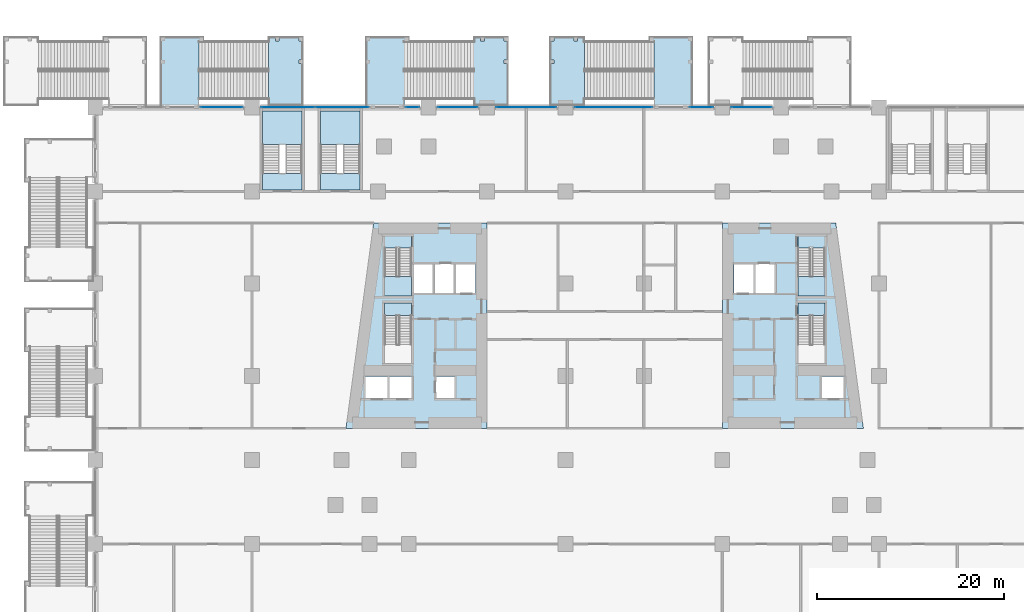
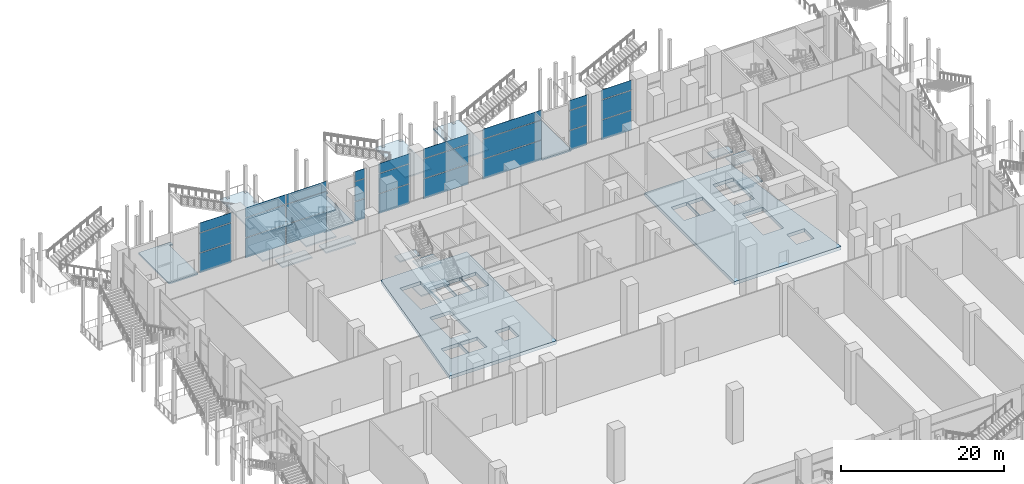
# One storey, part 20 of 52: 27 plates, 22 slabs, 17 elements without a shape of their own.
"""IFC4 building model written with IfcOpenShell, lengths in metres."""

from ifc_helpers import new_model, si_unit, direction, frame, origin, origin_2d, place, context, subcontext, project, spatial, polyline, rectangle, outline, extrude, material, layer, layer_set, type_object, element, aggregate, save


model = new_model("IFC4")

# Units and contexts
model_context = context("Model", 3, precision=1e-05, world=origin(), true_north=direction((0.0, 1.0)))
body_context = subcontext(model_context, "Body", "Model", "MODEL_VIEW")
ifc_project = project(units=[si_unit("LENGTHUNIT", "METRE"), si_unit("AREAUNIT", "SQUARE_METRE"), si_unit("VOLUMEUNIT", "CUBIC_METRE"), si_unit("PLANEANGLEUNIT", "RADIAN"), si_unit("MASSUNIT", "GRAM", prefix="KILO")], contexts=[model_context])

# Site, building, storey
site_placement = place(None, origin())
site = spatial("IfcSite", under=ifc_project, at=site_placement, CompositionType="ELEMENT")
building_placement = place(site_placement, origin())
building = spatial("IfcBuilding", under=site, at=building_placement, Name="Candeia Pilgrim Tower and Theatre", CompositionType="ELEMENT")
storey_placement = place(building_placement, frame((0.0, 0.0, 9.0)))
storey = spatial("IfcBuildingStorey", under=building, at=storey_placement, Name="L01", CompositionType="ELEMENT", Elevation=9.0)

# Curtain wall, plates
ifc_material_1 = material(Name="Aluminium framed podium glazing", Category="aluminium")
curtain_wall_type = type_object("IfcCurtainWallType", Name="CW-P curtain wall", PredefinedType="NOTDEFINED", material=ifc_material_1)
curtain_wall_1_placement = place(storey_placement, origin())
curtain_wall_1 = element("IfcCurtainWall", 1, at=curtain_wall_1_placement, inside=storey, type_object=curtain_wall_type, Name="Curtain wall CW-P L01.102", PredefinedType="NOTDEFINED")
ifc_material_2 = material(Name="Laminated low-iron glass 2 x 8 mm", Category="glass")
ifc_layer_1 = layer(ifc_material_2, 0.035888671875)
ifc_layer_set_1 = layer_set([ifc_layer_1], Name="CW-P glass panel 36")
plate_type = type_object("IfcPlateType", Name="CW-P glass panel 36", PredefinedType="CURTAIN_PANEL", material=ifc_layer_set_1)
plate_1_placement = place(storey_placement, frame((72.35009765625, 144.800048828125, 0.0), z_axis=(0.0, 0.0, 1.0), x_axis=(1.0, 0.0, 0.0)))
plate_1 = element("IfcPlate", 2, at=plate_1_placement, type_object=plate_type, Name="CW-P panel 1.1", PredefinedType="CURTAIN_PANEL", context=body_context, shape_type="SweptSolid", body=[
    extrude(rectangle(XDim=4.52001953125, YDim=0.035888671875, at=origin_2d()), origin(), (0.0, 0.0, 1.0), 2.9599609375),
])
plate_2_placement = place(storey_placement, frame((72.35009765625, 144.800048828125, 3.0400390625), z_axis=(0.0, 0.0, 1.0), x_axis=(1.0, 0.0, 0.0)))
plate_2 = element("IfcPlate", 3, at=plate_2_placement, type_object=plate_type, Name="CW-P panel 1.2", PredefinedType="CURTAIN_PANEL", context=body_context, shape_type="SweptSolid", body=[
    extrude(rectangle(XDim=4.52001953125, YDim=0.035888671875, at=origin_2d()), origin(), (0.0, 0.0, 1.0), 2.919921875),
])
plate_3_placement = place(storey_placement, frame((72.35009765625, 144.800048828125, 6.0400390625), z_axis=(0.0, 0.0, 1.0), x_axis=(1.0, 0.0, 0.0)))
plate_3 = element("IfcPlate", 4, at=plate_3_placement, type_object=plate_type, Name="CW-P panel 1.3", PredefinedType="CURTAIN_PANEL", context=body_context, shape_type="SweptSolid", body=[
    extrude(rectangle(XDim=4.52001953125, YDim=0.035888671875, at=origin_2d()), origin(), (0.0, 0.0, 1.0), 1.4599609375),
])
aggregate(curtain_wall_1, [plate_1, plate_2, plate_3])

curtain_wall_2_placement = place(storey_placement, origin())
curtain_wall_2 = element("IfcCurtainWall", 5, at=curtain_wall_2_placement, inside=storey, type_object=curtain_wall_type, Name="Curtain wall CW-P L01.110", PredefinedType="NOTDEFINED")
plate_4_placement = place(storey_placement, frame((79.449951171875, 144.800048828125, 0.0), z_axis=(0.0, 0.0, 1.0), x_axis=(1.0, 0.0, 0.0)))
plate_4 = element("IfcPlate", 6, at=plate_4_placement, type_object=plate_type, Name="CW-P panel 1.1", PredefinedType="CURTAIN_PANEL", context=body_context, shape_type="SweptSolid", body=[
    extrude(rectangle(XDim=5.719970703125, YDim=0.035888671875, at=origin_2d()), origin(), (0.0, 0.0, 1.0), 2.9599609375),
])
plate_5_placement = place(storey_placement, frame((79.449951171875, 144.800048828125, 3.0400390625), z_axis=(0.0, 0.0, 1.0), x_axis=(1.0, 0.0, 0.0)))
plate_5 = element("IfcPlate", 7, at=plate_5_placement, type_object=plate_type, Name="CW-P panel 1.2", PredefinedType="CURTAIN_PANEL", context=body_context, shape_type="SweptSolid", body=[
    extrude(rectangle(XDim=5.719970703125, YDim=0.035888671875, at=origin_2d()), origin(), (0.0, 0.0, 1.0), 2.919921875),
])
plate_6_placement = place(storey_placement, frame((79.449951171875, 144.800048828125, 6.0400390625), z_axis=(0.0, 0.0, 1.0), x_axis=(1.0, 0.0, 0.0)))
plate_6 = element("IfcPlate", 8, at=plate_6_placement, type_object=plate_type, Name="CW-P panel 1.3", PredefinedType="CURTAIN_PANEL", context=body_context, shape_type="SweptSolid", body=[
    extrude(rectangle(XDim=5.719970703125, YDim=0.035888671875, at=origin_2d()), origin(), (0.0, 0.0, 1.0), 1.4599609375),
])
plate_7_placement = place(storey_placement, frame((85.25, 144.800048828125, 0.0), z_axis=(0.0, 0.0, 1.0), x_axis=(1.0, 0.0, 0.0)))
plate_7 = element("IfcPlate", 9, at=plate_7_placement, type_object=plate_type, Name="CW-P panel 2.1", PredefinedType="CURTAIN_PANEL", context=body_context, shape_type="SweptSolid", body=[
    extrude(rectangle(XDim=5.719970703125, YDim=0.035888671875, at=origin_2d()), origin(), (0.0, 0.0, 1.0), 2.9599609375),
])
plate_8_placement = place(storey_placement, frame((85.25, 144.800048828125, 3.0400390625), z_axis=(0.0, 0.0, 1.0), x_axis=(1.0, 0.0, 0.0)))
plate_8 = element("IfcPlate", 10, at=plate_8_placement, type_object=plate_type, Name="CW-P panel 2.2", PredefinedType="CURTAIN_PANEL", context=body_context, shape_type="SweptSolid", body=[
    extrude(rectangle(XDim=5.719970703125, YDim=0.035888671875, at=origin_2d()), origin(), (0.0, 0.0, 1.0), 2.919921875),
])
plate_9_placement = place(storey_placement, frame((85.25, 144.800048828125, 6.0400390625), z_axis=(0.0, 0.0, 1.0), x_axis=(1.0, 0.0, 0.0)))
plate_9 = element("IfcPlate", 11, at=plate_9_placement, type_object=plate_type, Name="CW-P panel 2.3", PredefinedType="CURTAIN_PANEL", context=body_context, shape_type="SweptSolid", body=[
    extrude(rectangle(XDim=5.719970703125, YDim=0.035888671875, at=origin_2d()), origin(), (0.0, 0.0, 1.0), 1.4599609375),
])
aggregate(curtain_wall_2, [plate_4, plate_5, plate_6, plate_7, plate_8, plate_9])

curtain_wall_3_placement = place(storey_placement, origin())
curtain_wall_3 = element("IfcCurtainWall", 12, at=curtain_wall_3_placement, inside=storey, type_object=curtain_wall_type, Name="Curtain wall CW-P L01.111", PredefinedType="NOTDEFINED")
plate_10_placement = place(storey_placement, frame((92.800048828125, 144.800048828125, 0.0), z_axis=(0.0, 0.0, 1.0), x_axis=(1.0, 0.0, 0.0)))
plate_10 = element("IfcPlate", 13, at=plate_10_placement, type_object=plate_type, Name="CW-P panel 1.1", PredefinedType="CURTAIN_PANEL", context=body_context, shape_type="SweptSolid", body=[
    extrude(rectangle(XDim=1.419921875, YDim=0.035888671875, at=origin_2d()), origin(), (0.0, 0.0, 1.0), 2.9599609375),
])
plate_11_placement = place(storey_placement, frame((92.800048828125, 144.800048828125, 3.0400390625), z_axis=(0.0, 0.0, 1.0), x_axis=(1.0, 0.0, 0.0)))
plate_11 = element("IfcPlate", 14, at=plate_11_placement, type_object=plate_type, Name="CW-P panel 1.2", PredefinedType="CURTAIN_PANEL", context=body_context, shape_type="SweptSolid", body=[
    extrude(rectangle(XDim=1.419921875, YDim=0.035888671875, at=origin_2d()), origin(), (0.0, 0.0, 1.0), 2.919921875),
])
plate_12_placement = place(storey_placement, frame((92.800048828125, 144.800048828125, 6.0400390625), z_axis=(0.0, 0.0, 1.0), x_axis=(1.0, 0.0, 0.0)))
plate_12 = element("IfcPlate", 15, at=plate_12_placement, type_object=plate_type, Name="CW-P panel 1.3", PredefinedType="CURTAIN_PANEL", context=body_context, shape_type="SweptSolid", body=[
    extrude(rectangle(XDim=1.419921875, YDim=0.035888671875, at=origin_2d()), origin(), (0.0, 0.0, 1.0), 1.4599609375),
])
aggregate(curtain_wall_3, [plate_10, plate_11, plate_12])

curtain_wall_4_placement = place(storey_placement, origin())
curtain_wall_4 = element("IfcCurtainWall", 16, at=curtain_wall_4_placement, inside=storey, type_object=curtain_wall_type, Name="Curtain wall CW-P L01.120", PredefinedType="NOTDEFINED")
plate_13_placement = place(storey_placement, frame((97.64990234375, 144.800048828125, 0.0), z_axis=(0.0, 0.0, 1.0), x_axis=(1.0, 0.0, 0.0)))
plate_13 = element("IfcPlate", 17, at=plate_13_placement, type_object=plate_type, Name="CW-P panel 1.1", PredefinedType="CURTAIN_PANEL", context=body_context, shape_type="SweptSolid", body=[
    extrude(rectangle(XDim=4.320068359375, YDim=0.035888671875, at=origin_2d()), origin(), (0.0, 0.0, 1.0), 2.9599609375),
])
plate_14_placement = place(storey_placement, frame((97.64990234375, 144.800048828125, 3.0400390625), z_axis=(0.0, 0.0, 1.0), x_axis=(1.0, 0.0, 0.0)))
plate_14 = element("IfcPlate", 18, at=plate_14_placement, type_object=plate_type, Name="CW-P panel 1.2", PredefinedType="CURTAIN_PANEL", context=body_context, shape_type="SweptSolid", body=[
    extrude(rectangle(XDim=4.320068359375, YDim=0.035888671875, at=origin_2d()), origin(), (0.0, 0.0, 1.0), 2.919921875),
])
plate_15_placement = place(storey_placement, frame((97.64990234375, 144.800048828125, 6.0400390625), z_axis=(0.0, 0.0, 1.0), x_axis=(1.0, 0.0, 0.0)))
plate_15 = element("IfcPlate", 19, at=plate_15_placement, type_object=plate_type, Name="CW-P panel 1.3", PredefinedType="CURTAIN_PANEL", context=body_context, shape_type="SweptSolid", body=[
    extrude(rectangle(XDim=4.320068359375, YDim=0.035888671875, at=origin_2d()), origin(), (0.0, 0.0, 1.0), 1.4599609375),
])
aggregate(curtain_wall_4, [plate_13, plate_14, plate_15])

curtain_wall_5_placement = place(storey_placement, origin())
curtain_wall_5 = element("IfcCurtainWall", 20, at=curtain_wall_5_placement, inside=storey, type_object=curtain_wall_type, Name="Curtain wall CW-P L01.130", PredefinedType="NOTDEFINED")
plate_16_placement = place(storey_placement, frame((105.0, 144.800048828125, 0.0), z_axis=(0.0, 0.0, 1.0), x_axis=(1.0, 0.0, 0.0)))
plate_16 = element("IfcPlate", 21, at=plate_16_placement, type_object=plate_type, Name="CW-P panel 1.1", PredefinedType="CURTAIN_PANEL", context=body_context, shape_type="SweptSolid", body=[
    extrude(rectangle(XDim=6.419921875, YDim=0.035888671875, at=origin_2d()), origin(), (0.0, 0.0, 1.0), 2.9599609375),
])
plate_17_placement = place(storey_placement, frame((105.0, 144.800048828125, 3.0400390625), z_axis=(0.0, 0.0, 1.0), x_axis=(1.0, 0.0, 0.0)))
plate_17 = element("IfcPlate", 22, at=plate_17_placement, type_object=plate_type, Name="CW-P panel 1.2", PredefinedType="CURTAIN_PANEL", context=body_context, shape_type="SweptSolid", body=[
    extrude(rectangle(XDim=6.419921875, YDim=0.035888671875, at=origin_2d()), origin(), (0.0, 0.0, 1.0), 2.919921875),
])
plate_18_placement = place(storey_placement, frame((105.0, 144.800048828125, 6.0400390625), z_axis=(0.0, 0.0, 1.0), x_axis=(1.0, 0.0, 0.0)))
plate_18 = element("IfcPlate", 23, at=plate_18_placement, type_object=plate_type, Name="CW-P panel 1.3", PredefinedType="CURTAIN_PANEL", context=body_context, shape_type="SweptSolid", body=[
    extrude(rectangle(XDim=6.419921875, YDim=0.035888671875, at=origin_2d()), origin(), (0.0, 0.0, 1.0), 1.4599609375),
])
aggregate(curtain_wall_5, [plate_16, plate_17, plate_18])

curtain_wall_6_placement = place(storey_placement, origin())
curtain_wall_6 = element("IfcCurtainWall", 24, at=curtain_wall_6_placement, inside=storey, type_object=curtain_wall_type, Name="Curtain wall CW-P L01.140", PredefinedType="NOTDEFINED")
plate_19_placement = place(storey_placement, frame((114.35009765625, 144.800048828125, 0.0), z_axis=(0.0, 0.0, 1.0), x_axis=(1.0, 0.0, 0.0)))
plate_19 = element("IfcPlate", 25, at=plate_19_placement, type_object=plate_type, Name="CW-P panel 1.1", PredefinedType="CURTAIN_PANEL", context=body_context, shape_type="SweptSolid", body=[
    extrude(rectangle(XDim=8.320068359375, YDim=0.035888671875, at=origin_2d()), origin(), (0.0, 0.0, 1.0), 2.9599609375),
])
plate_20_placement = place(storey_placement, frame((114.35009765625, 144.800048828125, 3.0400390625), z_axis=(0.0, 0.0, 1.0), x_axis=(1.0, 0.0, 0.0)))
plate_20 = element("IfcPlate", 26, at=plate_20_placement, type_object=plate_type, Name="CW-P panel 1.2", PredefinedType="CURTAIN_PANEL", context=body_context, shape_type="SweptSolid", body=[
    extrude(rectangle(XDim=8.320068359375, YDim=0.035888671875, at=origin_2d()), origin(), (0.0, 0.0, 1.0), 2.919921875),
])
plate_21_placement = place(storey_placement, frame((114.35009765625, 144.800048828125, 6.0400390625), z_axis=(0.0, 0.0, 1.0), x_axis=(1.0, 0.0, 0.0)))
plate_21 = element("IfcPlate", 27, at=plate_21_placement, type_object=plate_type, Name="CW-P panel 1.3", PredefinedType="CURTAIN_PANEL", context=body_context, shape_type="SweptSolid", body=[
    extrude(rectangle(XDim=8.320068359375, YDim=0.035888671875, at=origin_2d()), origin(), (0.0, 0.0, 1.0), 1.4599609375),
])
aggregate(curtain_wall_6, [plate_19, plate_20, plate_21])

curtain_wall_7_placement = place(storey_placement, origin())
curtain_wall_7 = element("IfcCurtainWall", 28, at=curtain_wall_7_placement, inside=storey, type_object=curtain_wall_type, Name="Curtain wall CW-P L01.141", PredefinedType="NOTDEFINED")
plate_22_placement = place(storey_placement, frame((123.75, 144.800048828125, 0.0), z_axis=(0.0, 0.0, 1.0), x_axis=(1.0, 0.0, 0.0)))
plate_22 = element("IfcPlate", 29, at=plate_22_placement, type_object=plate_type, Name="CW-P panel 1.1", PredefinedType="CURTAIN_PANEL", context=body_context, shape_type="SweptSolid", body=[
    extrude(rectangle(XDim=2.52001953125, YDim=0.035888671875, at=origin_2d()), origin(), (0.0, 0.0, 1.0), 2.9599609375),
])
plate_23_placement = place(storey_placement, frame((123.75, 144.800048828125, 3.0400390625), z_axis=(0.0, 0.0, 1.0), x_axis=(1.0, 0.0, 0.0)))
plate_23 = element("IfcPlate", 30, at=plate_23_placement, type_object=plate_type, Name="CW-P panel 1.2", PredefinedType="CURTAIN_PANEL", context=body_context, shape_type="SweptSolid", body=[
    extrude(rectangle(XDim=2.52001953125, YDim=0.035888671875, at=origin_2d()), origin(), (0.0, 0.0, 1.0), 2.919921875),
])
plate_24_placement = place(storey_placement, frame((123.75, 144.800048828125, 6.0400390625), z_axis=(0.0, 0.0, 1.0), x_axis=(1.0, 0.0, 0.0)))
plate_24 = element("IfcPlate", 31, at=plate_24_placement, type_object=plate_type, Name="CW-P panel 1.3", PredefinedType="CURTAIN_PANEL", context=body_context, shape_type="SweptSolid", body=[
    extrude(rectangle(XDim=2.52001953125, YDim=0.035888671875, at=origin_2d()), origin(), (0.0, 0.0, 1.0), 1.4599609375),
])
aggregate(curtain_wall_7, [plate_22, plate_23, plate_24])

curtain_wall_8_placement = place(storey_placement, origin())
curtain_wall_8 = element("IfcCurtainWall", 32, at=curtain_wall_8_placement, inside=storey, type_object=curtain_wall_type, Name="Curtain wall CW-P L01.150", PredefinedType="NOTDEFINED")
plate_25_placement = place(storey_placement, frame((129.14990234375, 144.800048828125, 0.0), z_axis=(0.0, 0.0, 1.0), x_axis=(1.0, 0.0, 0.0)))
plate_25 = element("IfcPlate", 33, at=plate_25_placement, type_object=plate_type, Name="CW-P panel 1.1", PredefinedType="CURTAIN_PANEL", context=body_context, shape_type="SweptSolid", body=[
    extrude(rectangle(XDim=4.320068359375, YDim=0.035888671875, at=origin_2d()), origin(), (0.0, 0.0, 1.0), 2.9599609375),
])
plate_26_placement = place(storey_placement, frame((129.14990234375, 144.800048828125, 3.0400390625), z_axis=(0.0, 0.0, 1.0), x_axis=(1.0, 0.0, 0.0)))
plate_26 = element("IfcPlate", 34, at=plate_26_placement, type_object=plate_type, Name="CW-P panel 1.2", PredefinedType="CURTAIN_PANEL", context=body_context, shape_type="SweptSolid", body=[
    extrude(rectangle(XDim=4.320068359375, YDim=0.035888671875, at=origin_2d()), origin(), (0.0, 0.0, 1.0), 2.919921875),
])
plate_27_placement = place(storey_placement, frame((129.14990234375, 144.800048828125, 6.0400390625), z_axis=(0.0, 0.0, 1.0), x_axis=(1.0, 0.0, 0.0)))
plate_27 = element("IfcPlate", 35, at=plate_27_placement, type_object=plate_type, Name="CW-P panel 1.3", PredefinedType="CURTAIN_PANEL", context=body_context, shape_type="SweptSolid", body=[
    extrude(rectangle(XDim=4.320068359375, YDim=0.035888671875, at=origin_2d()), origin(), (0.0, 0.0, 1.0), 1.4599609375),
])
aggregate(curtain_wall_8, [plate_25, plate_26, plate_27])

# Slabs
ifc_material_3 = material(Name="Concrete C60/75", Category="concrete")
ifc_layer_2 = layer(ifc_material_3, 0.5)
ifc_layer_set_2 = layer_set([ifc_layer_2], Name="FS-CORE 500 core floor")
slab_type_1 = type_object("IfcSlabType", Name="FS-CORE 500 core floor", PredefinedType="FLOOR", material=ifc_layer_set_2)
slab_1_placement = place(storey_placement, frame((0.0, 0.0, -0.5)))
element("IfcSlab", 36, at=slab_1_placement, inside=storey, type_object=slab_type_1, Name="Core floor W L01", PredefinedType="FLOOR", context=body_context, shape_type="SweptSolid", body=[
    extrude(outline(polyline([(100.800048828125, 132.39990234375), (100.800048828125, 110.39990234375), (85.669189453125, 110.39990234375), (88.630859375, 132.39990234375), (100.800048828125, 132.39990234375)]), holes=[polyline([(97.392333984375, 128.050048828125), (97.392333984375, 124.85009765625), (99.550048828125, 124.85009765625), (99.550048828125, 128.050048828125), (97.392333984375, 128.050048828125)]), polyline([(95.277099609375, 115.949951171875), (95.277099609375, 113.550048828125), (97.363525390625, 113.550048828125), (97.363525390625, 115.949951171875), (95.277099609375, 115.949951171875)]), polyline([(95.134765625, 128.050048828125), (95.134765625, 124.85009765625), (97.292236328125, 124.85009765625), (97.292236328125, 128.050048828125), (95.134765625, 128.050048828125)]), polyline([(92.876953125, 128.050048828125), (92.876953125, 124.85009765625), (95.03466796875, 124.85009765625), (95.03466796875, 128.050048828125), (92.876953125, 128.050048828125)]), polyline([(90.279052734375, 115.949951171875), (90.279052734375, 113.550048828125), (92.777099609375, 113.550048828125), (92.777099609375, 115.949951171875), (90.279052734375, 115.949951171875)]), polyline([(89.802001953125, 122.455078125), (89.802001953125, 117.324951171875), (92.701904296875, 117.324951171875), (92.701904296875, 122.455078125), (89.802001953125, 122.455078125)]), polyline([(89.802001953125, 129.705078125), (89.802001953125, 124.574951171875), (92.701904296875, 124.574951171875), (92.701904296875, 129.705078125), (89.802001953125, 129.705078125)]), polyline([(87.680908203125, 115.949951171875), (87.680908203125, 113.550048828125), (90.178955078125, 113.550048828125), (90.178955078125, 115.949951171875), (87.680908203125, 115.949951171875)])]), origin(), (0.0, 0.0, 1.0), 0.5),
])
slab_2_placement = place(storey_placement, frame((0.0, 0.0, -0.5)))
element("IfcSlab", 37, at=slab_2_placement, inside=storey, type_object=slab_type_1, Name="Core floor E L01", PredefinedType="FLOOR", context=body_context, shape_type="SweptSolid", body=[
    extrude(outline(polyline([(138.169189453125, 132.39990234375), (141.130859375, 110.39990234375), (126.0, 110.39990234375), (126.0, 132.39990234375), (138.169189453125, 132.39990234375)]), holes=[polyline([(136.62109375, 115.949951171875), (136.62109375, 113.550048828125), (139.118896484375, 113.550048828125), (139.118896484375, 115.949951171875), (136.62109375, 115.949951171875)]), polyline([(134.097900390625, 117.324951171875), (136.998046875, 117.324951171875), (136.998046875, 122.455078125), (134.097900390625, 122.455078125), (134.097900390625, 117.324951171875)]), polyline([(134.097900390625, 129.705078125), (134.097900390625, 124.574951171875), (136.998046875, 124.574951171875), (136.998046875, 129.705078125), (134.097900390625, 129.705078125)]), polyline([(131.665283203125, 128.050048828125), (129.5078125, 128.050048828125), (129.5078125, 124.85009765625), (131.665283203125, 124.85009765625), (131.665283203125, 128.050048828125)]), polyline([(127.25, 128.050048828125), (127.25, 124.85009765625), (129.40771484375, 124.85009765625), (129.40771484375, 128.050048828125), (127.25, 128.050048828125)])]), origin(), (0.0, 0.0, 1.0), 0.5),
])
ifc_material_4 = material(Name="Concrete C40/50", Category="concrete")
ifc_layer_3 = layer(ifc_material_4, 0.199951171875)
ifc_layer_set_3 = layer_set([ifc_layer_3], Name="SL-EXT stair landing")
slab_type_2 = type_object("IfcSlabType", Name="SL-EXT stair landing", PredefinedType="LANDING", material=ifc_layer_set_3)
slab_3_placement = place(storey_placement, frame((0.0, 0.0, -0.199951171875)))
element("IfcSlab", 38, at=slab_3_placement, inside=storey, type_object=slab_type_2, Name="L01 External escape stair ES4 floor landing", PredefinedType="LANDING", context=body_context, shape_type="SweptSolid", body=[
    extrude(outline(polyline([(65.800048828125, 144.85009765625), (69.919921875, 144.85009765625), (69.919921875, 151.85009765625), (70.39990234375, 151.85009765625), (70.39990234375, 152.35009765625), (65.800048828125, 152.35009765625), (65.800048828125, 144.85009765625)])), origin(), (0.0, 0.0, 1.0), 0.199951171875),
])

# Stair, slab
stair_type_1 = type_object("IfcStairType", Name="ST-EXT external escape stair", PredefinedType="HALF_TURN_STAIR", material=ifc_material_4)
stair_1_placement = place(storey_placement, origin())
stair_1 = element("IfcStair", 39, at=stair_1_placement, inside=storey, type_object=stair_type_1, Name="L01 External escape stair ES4", PredefinedType="HALF_TURN_STAIR")
slab_4_placement = place(storey_placement, frame((0.0, 0.0, 3.800048828125)))
slab_4 = element("IfcSlab", 40, at=slab_4_placement, type_object=slab_type_2, Name="L01 External escape stair ES4 landing", PredefinedType="LANDING", context=body_context, shape_type="SweptSolid", body=[
    extrude(outline(polyline([(77.360107421875, 145.0), (81.06005859375, 145.0), (81.06005859375, 152.35009765625), (77.360107421875, 152.35009765625), (77.360107421875, 145.0)]), holes=[polyline([(78.110107421875, 151.89990234375), (78.510009765625, 151.89990234375), (78.510009765625, 152.300048828125), (78.110107421875, 152.300048828125), (78.110107421875, 151.89990234375)]), polyline([(80.610107421875, 151.89990234375), (81.010009765625, 151.89990234375), (81.010009765625, 152.300048828125), (80.610107421875, 152.300048828125), (80.610107421875, 151.89990234375)]), polyline([(80.610107421875, 149.47509765625), (81.010009765625, 149.47509765625), (81.010009765625, 149.875), (80.610107421875, 149.875), (80.610107421875, 149.47509765625)])]), origin(), (0.0, 0.0, 1.0), 0.199951171875),
])
aggregate(stair_1, [slab_4])

# Slab
slab_5_placement = place(storey_placement, frame((0.0, 0.0, -0.199951171875)))
element("IfcSlab", 41, at=slab_5_placement, inside=storey, type_object=slab_type_2, Name="L01 External escape stair ES5 floor landing", PredefinedType="LANDING", context=body_context, shape_type="SweptSolid", body=[
    extrude(outline(polyline([(87.800048828125, 144.85009765625), (91.919921875, 144.85009765625), (91.919921875, 151.85009765625), (92.39990234375, 151.85009765625), (92.39990234375, 152.35009765625), (87.800048828125, 152.35009765625), (87.800048828125, 144.85009765625)])), origin(), (0.0, 0.0, 1.0), 0.199951171875),
])

# Stair, slab
stair_2_placement = place(storey_placement, origin())
stair_2 = element("IfcStair", 42, at=stair_2_placement, inside=storey, type_object=stair_type_1, Name="L01 External escape stair ES5", PredefinedType="HALF_TURN_STAIR")
slab_6_placement = place(storey_placement, frame((0.0, 0.0, 3.800048828125)))
slab_6 = element("IfcSlab", 43, at=slab_6_placement, type_object=slab_type_2, Name="L01 External escape stair ES5 landing", PredefinedType="LANDING", context=body_context, shape_type="SweptSolid", body=[
    extrude(outline(polyline([(99.360107421875, 145.0), (103.06005859375, 145.0), (103.06005859375, 152.35009765625), (99.360107421875, 152.35009765625), (99.360107421875, 145.0)]), holes=[polyline([(100.110107421875, 151.89990234375), (100.510009765625, 151.89990234375), (100.510009765625, 152.300048828125), (100.110107421875, 152.300048828125), (100.110107421875, 151.89990234375)]), polyline([(102.610107421875, 151.89990234375), (103.010009765625, 151.89990234375), (103.010009765625, 152.300048828125), (102.610107421875, 152.300048828125), (102.610107421875, 151.89990234375)]), polyline([(102.610107421875, 149.47509765625), (103.010009765625, 149.47509765625), (103.010009765625, 149.875), (102.610107421875, 149.875), (102.610107421875, 149.47509765625)])]), origin(), (0.0, 0.0, 1.0), 0.199951171875),
])
aggregate(stair_2, [slab_6])

# Slab
slab_7_placement = place(storey_placement, frame((0.0, 0.0, -0.199951171875)))
element("IfcSlab", 44, at=slab_7_placement, inside=storey, type_object=slab_type_2, Name="L01 External escape stair ES6 floor landing", PredefinedType="LANDING", context=body_context, shape_type="SweptSolid", body=[
    extrude(outline(polyline([(122.800048828125, 144.85009765625), (118.679931640625, 144.85009765625), (118.679931640625, 151.85009765625), (118.199951171875, 151.85009765625), (118.199951171875, 152.35009765625), (122.800048828125, 152.35009765625), (122.800048828125, 144.85009765625)])), origin(), (0.0, 0.0, 1.0), 0.199951171875),
])

# Stair, slab
stair_3_placement = place(storey_placement, origin())
stair_3 = element("IfcStair", 45, at=stair_3_placement, inside=storey, type_object=stair_type_1, Name="L01 External escape stair ES6", PredefinedType="HALF_TURN_STAIR")
slab_8_placement = place(storey_placement, frame((0.0, 0.0, 3.800048828125)))
slab_8 = element("IfcSlab", 46, at=slab_8_placement, type_object=slab_type_2, Name="L01 External escape stair ES6 landing", PredefinedType="LANDING", context=body_context, shape_type="SweptSolid", body=[
    extrude(outline(polyline([(111.239990234375, 145.0), (107.5400390625, 145.0), (107.5400390625, 152.35009765625), (111.239990234375, 152.35009765625), (111.239990234375, 145.0)]), holes=[polyline([(110.090087890625, 151.89990234375), (110.489990234375, 151.89990234375), (110.489990234375, 152.300048828125), (110.090087890625, 152.300048828125), (110.090087890625, 151.89990234375)]), polyline([(107.590087890625, 151.89990234375), (107.989990234375, 151.89990234375), (107.989990234375, 152.300048828125), (107.590087890625, 152.300048828125), (107.590087890625, 151.89990234375)]), polyline([(107.590087890625, 149.47509765625), (107.989990234375, 149.47509765625), (107.989990234375, 149.875), (107.590087890625, 149.875), (107.590087890625, 149.47509765625)])]), origin(), (0.0, 0.0, 1.0), 0.199951171875),
])
aggregate(stair_3, [slab_8])

stair_type_2 = type_object("IfcStairType", Name="ST-TWR dog-leg escape stair", PredefinedType="HALF_TURN_STAIR", material=ifc_material_4)
stair_4_placement = place(storey_placement, origin())
stair_4 = element("IfcStair", 47, at=stair_4_placement, inside=storey, type_object=stair_type_2, Name="L01 Escape stair ST1", PredefinedType="HALF_TURN_STAIR")
ifc_layer_4 = layer(ifc_material_4, 0.199951171875)
ifc_layer_set_4 = layer_set([ifc_layer_4], Name="SL-LANDING stair landing")
slab_type_3 = type_object("IfcSlabType", Name="SL-LANDING stair landing", PredefinedType="LANDING", material=ifc_layer_set_4)
slab_9_placement = place(storey_placement, frame((0.0, 0.0, 3.800048828125)))
slab_9 = element("IfcSlab", 48, at=slab_9_placement, type_object=slab_type_3, Name="ST1 landing 2", PredefinedType="LANDING", context=body_context, shape_type="SweptSolid", body=[
    extrude(outline(polyline([(89.802001953125, 123.824951171875), (89.802001953125, 122.47509765625), (92.701904296875, 122.47509765625), (92.701904296875, 123.824951171875), (89.802001953125, 123.824951171875)])), origin(), (0.0, 0.0, 1.0), 0.199951171875),
])
aggregate(stair_4, [slab_9])

# Stair, slabs
stair_5_placement = place(storey_placement, origin())
stair_5 = element("IfcStair", 49, at=stair_5_placement, inside=storey, type_object=stair_type_2, Name="L01 Escape stair ST2", PredefinedType="HALF_TURN_STAIR")
slab_10_placement = place(storey_placement, frame((0.0, 0.0, 1.800048828125)))
slab_10 = element("IfcSlab", 50, at=slab_10_placement, type_object=slab_type_3, Name="ST2 landing 1", PredefinedType="LANDING", context=body_context, shape_type="SweptSolid", body=[
    extrude(outline(polyline([(89.802001953125, 126.64501953125), (89.802001953125, 124.574951171875), (92.701904296875, 124.574951171875), (92.701904296875, 126.64501953125), (89.802001953125, 126.64501953125)])), origin(), (0.0, 0.0, 1.0), 0.199951171875),
])
slab_11_placement = place(storey_placement, frame((0.0, 0.0, 3.800048828125)))
slab_11 = element("IfcSlab", 51, at=slab_11_placement, type_object=slab_type_3, Name="ST2 landing 2", PredefinedType="LANDING", context=body_context, shape_type="SweptSolid", body=[
    extrude(outline(polyline([(89.802001953125, 131.074951171875), (89.802001953125, 129.72509765625), (92.701904296875, 129.72509765625), (92.701904296875, 131.074951171875), (89.802001953125, 131.074951171875)])), origin(), (0.0, 0.0, 1.0), 0.199951171875),
])
slab_12_placement = place(storey_placement, frame((0.0, 0.0, 5.800048828125)))
slab_12 = element("IfcSlab", 52, at=slab_12_placement, type_object=slab_type_3, Name="ST2 landing 3", PredefinedType="LANDING", context=body_context, shape_type="SweptSolid", body=[
    extrude(outline(polyline([(89.802001953125, 126.64501953125), (89.802001953125, 124.574951171875), (92.701904296875, 124.574951171875), (92.701904296875, 126.64501953125), (89.802001953125, 126.64501953125)])), origin(), (0.0, 0.0, 1.0), 0.199951171875),
])
aggregate(stair_5, [slab_10, slab_11, slab_12])

# Stair, slab
stair_6_placement = place(storey_placement, origin())
stair_6 = element("IfcStair", 53, at=stair_6_placement, inside=storey, type_object=stair_type_2, Name="L01 Escape stair ST3", PredefinedType="HALF_TURN_STAIR")
slab_13_placement = place(storey_placement, frame((0.0, 0.0, 3.800048828125)))
slab_13 = element("IfcSlab", 54, at=slab_13_placement, type_object=slab_type_3, Name="ST3 landing 2", PredefinedType="LANDING", context=body_context, shape_type="SweptSolid", body=[
    extrude(outline(polyline([(134.097900390625, 123.824951171875), (134.097900390625, 122.47509765625), (136.998046875, 122.47509765625), (136.998046875, 123.824951171875), (134.097900390625, 123.824951171875)])), origin(), (0.0, 0.0, 1.0), 0.199951171875),
])
aggregate(stair_6, [slab_13])

# Stair, slabs
stair_7_placement = place(storey_placement, origin())
stair_7 = element("IfcStair", 55, at=stair_7_placement, inside=storey, type_object=stair_type_2, Name="L01 Escape stair ST4", PredefinedType="HALF_TURN_STAIR")
slab_14_placement = place(storey_placement, frame((0.0, 0.0, 1.800048828125)))
slab_14 = element("IfcSlab", 56, at=slab_14_placement, type_object=slab_type_3, Name="ST4 landing 1", PredefinedType="LANDING", context=body_context, shape_type="SweptSolid", body=[
    extrude(outline(polyline([(134.097900390625, 126.64501953125), (134.097900390625, 124.574951171875), (136.998046875, 124.574951171875), (136.998046875, 126.64501953125), (134.097900390625, 126.64501953125)])), origin(), (0.0, 0.0, 1.0), 0.199951171875),
])
slab_15_placement = place(storey_placement, frame((0.0, 0.0, 3.800048828125)))
slab_15 = element("IfcSlab", 57, at=slab_15_placement, type_object=slab_type_3, Name="ST4 landing 2", PredefinedType="LANDING", context=body_context, shape_type="SweptSolid", body=[
    extrude(outline(polyline([(134.097900390625, 131.074951171875), (134.097900390625, 129.72509765625), (136.998046875, 129.72509765625), (136.998046875, 131.074951171875), (134.097900390625, 131.074951171875)])), origin(), (0.0, 0.0, 1.0), 0.199951171875),
])
slab_16_placement = place(storey_placement, frame((0.0, 0.0, 5.800048828125)))
slab_16 = element("IfcSlab", 58, at=slab_16_placement, type_object=slab_type_3, Name="ST4 landing 3", PredefinedType="LANDING", context=body_context, shape_type="SweptSolid", body=[
    extrude(outline(polyline([(134.097900390625, 126.64501953125), (134.097900390625, 124.574951171875), (136.998046875, 124.574951171875), (136.998046875, 126.64501953125), (134.097900390625, 126.64501953125)])), origin(), (0.0, 0.0, 1.0), 0.199951171875),
])
aggregate(stair_7, [slab_14, slab_15, slab_16])

stair_type_3 = type_object("IfcStairType", Name="ST-POD dog-leg escape stair", PredefinedType="HALF_TURN_STAIR", material=ifc_material_4)
stair_8_placement = place(storey_placement, origin())
stair_8 = element("IfcStair", 59, at=stair_8_placement, inside=storey, type_object=stair_type_3, Name="L01 Escape stair PS1", PredefinedType="HALF_TURN_STAIR")
ifc_layer_5 = layer(ifc_material_4, 0.199951171875)
ifc_layer_set_5 = layer_set([ifc_layer_5], Name="SL-POD stair landing")
slab_type_4 = type_object("IfcSlabType", Name="SL-POD stair landing", PredefinedType="LANDING", material=ifc_layer_set_5)
slab_17_placement = place(storey_placement, frame((0.0, 0.0, 1.800048828125)))
slab_17 = element("IfcSlab", 60, at=slab_17_placement, type_object=slab_type_4, Name="PS1 landing 1", PredefinedType="LANDING", context=body_context, shape_type="SweptSolid", body=[
    extrude(outline(polyline([(80.97509765625, 140.804931640625), (80.97509765625, 144.425048828125), (76.72509765625, 144.425048828125), (76.72509765625, 140.804931640625), (80.97509765625, 140.804931640625)])), origin(), (0.0, 0.0, 1.0), 0.199951171875),
])
slab_18_placement = place(storey_placement, frame((0.0, 0.0, 3.800048828125)))
slab_18 = element("IfcSlab", 61, at=slab_18_placement, type_object=slab_type_4, Name="PS1 landing 2", PredefinedType="LANDING", context=body_context, shape_type="SweptSolid", body=[
    extrude(outline(polyline([(80.97509765625, 135.925048828125), (80.97509765625, 137.72509765625), (76.72509765625, 137.72509765625), (76.72509765625, 135.925048828125), (80.97509765625, 135.925048828125)])), origin(), (0.0, 0.0, 1.0), 0.199951171875),
])
slab_19_placement = place(storey_placement, frame((0.0, 0.0, 5.800048828125)))
slab_19 = element("IfcSlab", 62, at=slab_19_placement, type_object=slab_type_4, Name="PS1 landing 3", PredefinedType="LANDING", context=body_context, shape_type="SweptSolid", body=[
    extrude(outline(polyline([(80.97509765625, 140.804931640625), (80.97509765625, 144.425048828125), (76.72509765625, 144.425048828125), (76.72509765625, 140.804931640625), (80.97509765625, 140.804931640625)])), origin(), (0.0, 0.0, 1.0), 0.199951171875),
])
aggregate(stair_8, [slab_17, slab_18, slab_19])

stair_9_placement = place(storey_placement, origin())
stair_9 = element("IfcStair", 63, at=stair_9_placement, inside=storey, type_object=stair_type_3, Name="L01 Escape stair PS2", PredefinedType="HALF_TURN_STAIR")
slab_20_placement = place(storey_placement, frame((0.0, 0.0, 1.800048828125)))
slab_20 = element("IfcSlab", 64, at=slab_20_placement, type_object=slab_type_4, Name="PS2 landing 1", PredefinedType="LANDING", context=body_context, shape_type="SweptSolid", body=[
    extrude(outline(polyline([(87.175048828125, 140.804931640625), (87.175048828125, 144.425048828125), (82.925048828125, 144.425048828125), (82.925048828125, 140.804931640625), (87.175048828125, 140.804931640625)])), origin(), (0.0, 0.0, 1.0), 0.199951171875),
])
slab_21_placement = place(storey_placement, frame((0.0, 0.0, 3.800048828125)))
slab_21 = element("IfcSlab", 65, at=slab_21_placement, type_object=slab_type_4, Name="PS2 landing 2", PredefinedType="LANDING", context=body_context, shape_type="SweptSolid", body=[
    extrude(outline(polyline([(87.175048828125, 135.925048828125), (87.175048828125, 137.72509765625), (82.925048828125, 137.72509765625), (82.925048828125, 135.925048828125), (87.175048828125, 135.925048828125)])), origin(), (0.0, 0.0, 1.0), 0.199951171875),
])
slab_22_placement = place(storey_placement, frame((0.0, 0.0, 5.800048828125)))
slab_22 = element("IfcSlab", 66, at=slab_22_placement, type_object=slab_type_4, Name="PS2 landing 3", PredefinedType="LANDING", context=body_context, shape_type="SweptSolid", body=[
    extrude(outline(polyline([(87.175048828125, 140.804931640625), (87.175048828125, 144.425048828125), (82.925048828125, 144.425048828125), (82.925048828125, 140.804931640625), (87.175048828125, 140.804931640625)])), origin(), (0.0, 0.0, 1.0), 0.199951171875),
])
aggregate(stair_9, [slab_20, slab_21, slab_22])

save(model, "model.ifc")
